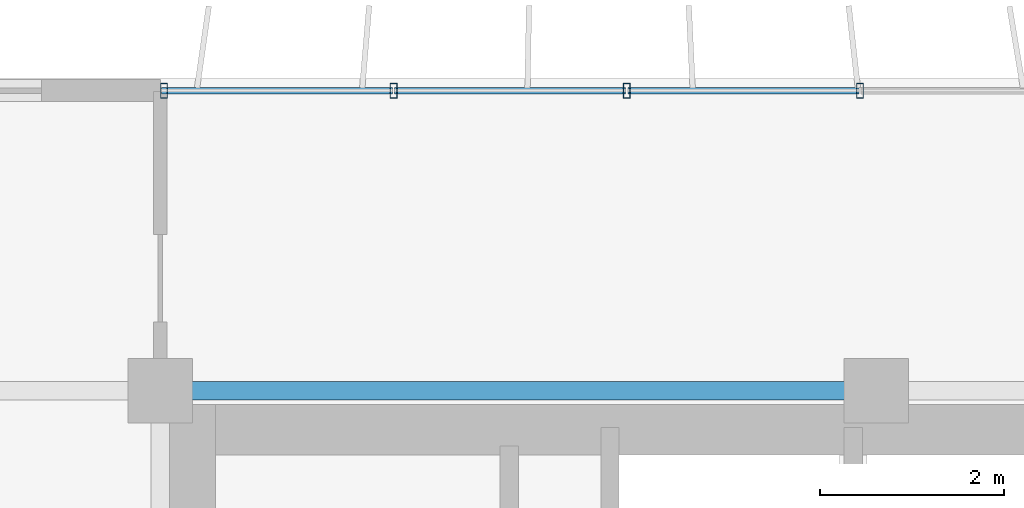
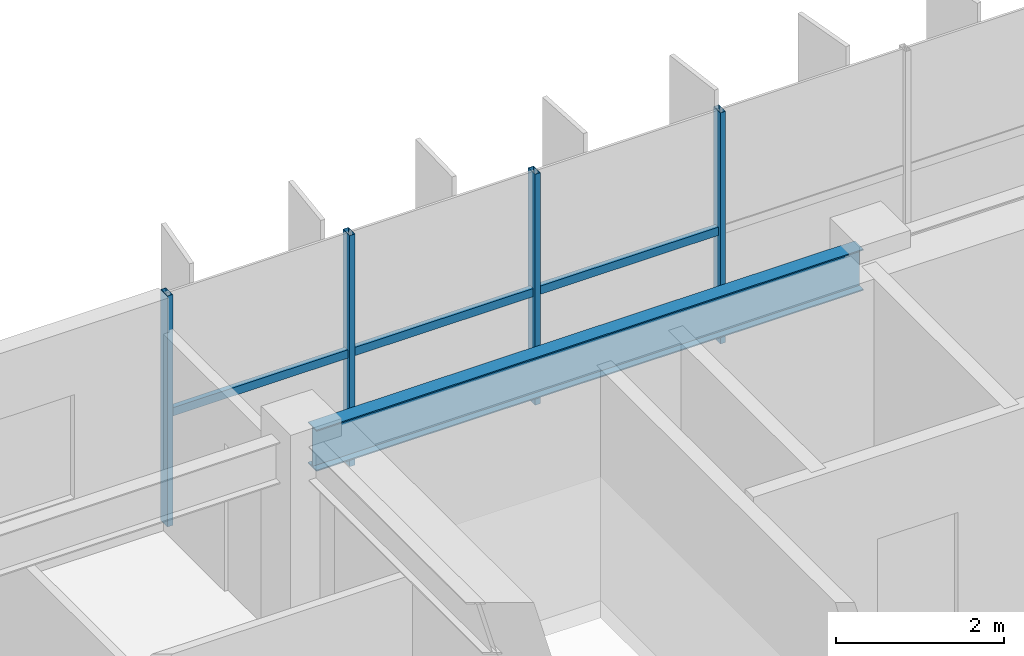
# One storey, part 4 of 20: 7 members, 1 beam, 1 element without a shape of its own.
"""IFC4 building model written with IfcOpenShell, lengths in metres."""

import ifcopenshell
import ifcopenshell.guid

model = None  # the IFC model being written
_history = None  # IfcOwnerHistory: only IFC2X3 demands one
_inside = {}  # id of a spatial element -> (the spatial element, [elements in it])
_under = {}  # id of a project, library or spatial element -> (it, [spatial elements below it])
_declared = {}  # id of a project -> (the project, [libraries it declares])
_typed = {}  # id of a type object -> (the type object, [elements of that type])
_made_of = {}  # id of a material, layer set ... -> (it, [elements and type objects made of it])


def new_model(schema):
    """Start an empty IFC model of exactly this schema.

    Asked for "IFC4X3", IfcOpenShell would pick the latest addendum, in which some entities
    have other attributes; the version numbers below select the first issue.
    IFC2X3 requires an IfcOwnerHistory on every rooted entity: one is made here for all.
    """
    global model, _history
    if schema == "IFC4X3":
        model = ifcopenshell.file(schema_version=(4, 3, 0, 0))
    else:
        model = ifcopenshell.file(schema=schema)
    _inside.clear()
    _under.clear()
    _declared.clear()
    _typed.clear()
    _made_of.clear()
    _history = None
    if model.schema == "IFC2X3":
        org = make("IfcOrganization", Name="unknown")
        user = make(
            "IfcPersonAndOrganization",
            ThePerson=make("IfcPerson", FamilyName="unknown"),
            TheOrganization=org,
        )
        app = make(
            "IfcApplication",
            ApplicationDeveloper=org,
            Version="unknown",
            ApplicationFullName="unknown",
            ApplicationIdentifier="unknown",
        )
        _history = make(
            "IfcOwnerHistory",
            OwningUser=user,
            OwningApplication=app,
            ChangeAction="ADDED",
            CreationDate=0,
        )
    return model


def make(cls, **values):
    """One entity of the class cls with the attributes given. An attribute that is None is left unset."""
    return model.create_entity(
        cls, **{name: value for name, value in values.items() if value is not None}
    )


def rooted(cls, **values):
    """An entity with a GlobalId (a new one), such as an element, a storey or a relation."""
    return make(cls, GlobalId=ifcopenshell.guid.new(), OwnerHistory=_history, **values)


def si_unit(unit_type, name, prefix=None):
    """IfcSIUnit, for example si_unit("LENGTHUNIT", "METRE", prefix="MILLI")."""
    return make("IfcSIUnit", UnitType=unit_type, Prefix=prefix, Name=name)


def assignment(units):
    """IfcUnitAssignment: the units of a project."""
    return None if units is None else make("IfcUnitAssignment", Units=units)


def point(xyz):
    """IfcCartesianPoint."""
    return None if xyz is None else make("IfcCartesianPoint", Coordinates=xyz)


def direction(xyz):
    """IfcDirection."""
    return None if xyz is None else make("IfcDirection", DirectionRatios=xyz)


def frame(location, z_axis=None, x_axis=None):
    """IfcAxis2Placement3D, a coordinate frame: its origin and axes. An axis left out is left unset."""
    return make(
        "IfcAxis2Placement3D",
        Location=point(location),
        Axis=direction(z_axis),
        RefDirection=direction(x_axis),
    )


def frame_2d(location, x_axis=None):
    """IfcAxis2Placement2D, a coordinate frame in the plane: its origin and x axis."""
    return make(
        "IfcAxis2Placement2D", Location=point(location), RefDirection=direction(x_axis)
    )


def origin():
    """The frame at (0, 0, 0) with its axes left unset."""
    return frame((0.0, 0.0, 0.0))


def origin_2d():
    """The frame at (0, 0) in the plane with its x axis left unset."""
    return frame_2d((0.0, 0.0))


def place(relative_to, where):
    """IfcLocalPlacement: puts the frame where relative to a parent placement (None: the world)."""
    return make(
        "IfcLocalPlacement", PlacementRelTo=relative_to, RelativePlacement=where
    )


def context(
    kind, dimensions, precision=None, world=None, true_north=None, identifier=None
):
    """IfcGeometricRepresentationContext, for example the 3D "Model" context."""
    return make(
        "IfcGeometricRepresentationContext",
        ContextIdentifier=identifier,
        ContextType=kind,
        CoordinateSpaceDimension=dimensions,
        Precision=precision,
        WorldCoordinateSystem=world,
        TrueNorth=true_north,
    )


def subcontext(parent, identifier, kind, view, scale=None):
    """IfcGeometricRepresentationSubContext, for example "Body" below "Model"."""
    return make(
        "IfcGeometricRepresentationSubContext",
        ContextIdentifier=identifier,
        ContextType=kind,
        ParentContext=parent,
        TargetScale=scale,
        TargetView=view,
    )


def project(units=None, contexts=None):
    """IfcProject with its units and contexts."""
    return rooted(
        "IfcProject",
        Name="project",
        RepresentationContexts=contexts,
        UnitsInContext=assignment(units),
    )


def spatial(cls, under=None, at=None, **own):
    """A site, building, storey or space (cls), placed at a placement, below another one or the project."""
    s = rooted(cls, ObjectPlacement=at, **own)
    if under is not None:
        _under.setdefault(under.id(), (under, []))[1].append(s)
    return s


def profile(cls, at=None, kind="AREA", **sizes):
    """A parametric profile (cls). Its sizes go by their IFC names, for example OverallWidth=200.0."""
    return make(cls, ProfileType=kind, Position=at, **sizes)


def hollow_rectangle(**sizes):
    """IfcRectangleHollowProfileDef."""
    return profile("IfcRectangleHollowProfileDef", **sizes)


def i_section(**sizes):
    """IfcIShapeProfileDef."""
    return profile("IfcIShapeProfileDef", **sizes)


def extrude(swept, where, along, depth):
    """IfcExtrudedAreaSolid: the profile swept, set in the frame where, extruded along a direction by depth."""
    return make(
        "IfcExtrudedAreaSolid",
        SweptArea=swept,
        Position=where,
        ExtrudedDirection=direction(along),
        Depth=depth,
    )


def shape(context_of_items, identifier, shape_type, items):
    """IfcShapeRepresentation: the items that make up one representation, for example the "Body"."""
    return make(
        "IfcShapeRepresentation",
        ContextOfItems=context_of_items,
        RepresentationIdentifier=identifier,
        RepresentationType=shape_type,
        Items=items,
    )


def source(mapping_origin, context_of_items, identifier, shape_type, items):
    """IfcRepresentationMap: a shape defined once, which mapped items show again and again."""
    return make(
        "IfcRepresentationMap",
        MappingOrigin=mapping_origin,
        MappedRepresentation=shape(context_of_items, identifier, shape_type, items),
    )


def transform(
    local_origin,
    x_axis=None,
    y_axis=None,
    z_axis=None,
    scale=None,
    scale2=None,
    scale3=None,
    uniform=True,
):
    """IfcCartesianTransformationOperator3D, or its non-uniform kind. x_axis, y_axis, z_axis: its Axis1, 2, 3."""
    if uniform:
        return make(
            "IfcCartesianTransformationOperator3D",
            Axis1=direction(x_axis),
            Axis2=direction(y_axis),
            LocalOrigin=point(local_origin),
            Scale=scale,
            Axis3=direction(z_axis),
        )
    return make(
        "IfcCartesianTransformationOperator3DnonUniform",
        Axis1=direction(x_axis),
        Axis2=direction(y_axis),
        LocalOrigin=point(local_origin),
        Scale=scale,
        Axis3=direction(z_axis),
        Scale2=scale2,
        Scale3=scale3,
    )


def mapped(mapping_source, mapping_target):
    """IfcMappedItem: shows the shape of a source again, moved by a transform."""
    return make(
        "IfcMappedItem", MappingSource=mapping_source, MappingTarget=mapping_target
    )


def material(Name=None, Category=None):
    """IfcMaterial."""
    return make("IfcMaterial", Name=Name, Category=Category)


def material_profile(
    of_material, cross_section, Name=None, Category=None, Priority=None
):
    """IfcMaterialProfile: a cross section and its material."""
    return make(
        "IfcMaterialProfile",
        Name=Name,
        Material=of_material,
        Profile=cross_section,
        Priority=Priority,
        Category=Category,
    )


def profile_set(profiles, Name=None, composite=None):
    """IfcMaterialProfileSet."""
    return make(
        "IfcMaterialProfileSet",
        Name=Name,
        MaterialProfiles=profiles,
        CompositeProfile=composite,
    )


def made_of(thing, what):
    """Note that an element or type object is made of a material, layer set ...; save() writes the relation."""
    if what is not None:
        _made_of.setdefault(what.id(), (what, []))[1].append(thing)
    return thing


def type_object(cls, material=None, **own):
    """A type object (cls), such as IfcWallType, which elements share."""
    return made_of(rooted(cls, **own), material)


def element(
    cls,
    number,
    at=None,
    inside=None,
    cuts=None,
    type_object=None,
    material=None,
    context=None,
    identifier="Body",
    shape_type=None,
    held_by="IfcProductDefinitionShape",
    body=None,
    shapes=None,
    **own,
):
    """One element of the class cls, such as IfcWall. Its Tag is "e" and its number.

    at: its placement. inside: the storey or other place that contains it. cuts: it is an
    opening in that element (IfcRelVoidsElement). A single representation is given by context,
    identifier, shape_type and body (its items); several are given by shapes. held_by: the class
    of the entity that holds the representations. save() writes the other relations.
    """
    e = rooted(cls, Tag="e%d" % number, ObjectPlacement=at, **own)
    if body is not None:
        shapes = [shape(context, identifier, shape_type, body)]
    if shapes is not None:
        e.Representation = make(held_by, Representations=shapes)
    if inside is not None:
        _inside.setdefault(inside.id(), (inside, []))[1].append(e)
    if cuts is not None:
        rooted(
            "IfcRelVoidsElement", RelatingBuildingElement=cuts, RelatedOpeningElement=e
        )
    if type_object is not None:
        _typed.setdefault(type_object.id(), (type_object, []))[1].append(e)
    return made_of(e, material)


def aggregate(whole, parts):
    """IfcRelAggregates: a whole, such as a stair, and the parts it consists of."""
    return rooted("IfcRelAggregates", RelatingObject=whole, RelatedObjects=parts)


def save(model, path):
    """Write the relations noted so far, then the file.

    IfcRelAggregates (storeys below a building ...), IfcRelContainedInSpatialStructure (elements
    in a storey), IfcRelDefinesByType, IfcRelAssociatesMaterial and IfcRelDeclares: one each for
    every whole, place, type object, material and project.
    """
    for whole, parts in _under.values():
        aggregate(whole, parts)
    for where, things in _inside.values():
        rooted(
            "IfcRelContainedInSpatialStructure",
            RelatedElements=things,
            RelatingStructure=where,
        )
    for kind, things in _typed.values():
        rooted("IfcRelDefinesByType", RelatedObjects=things, RelatingType=kind)
    for what, things in _made_of.values():
        rooted("IfcRelAssociatesMaterial", RelatedObjects=things, RelatingMaterial=what)
    for by, libraries in _declared.values():
        rooted("IfcRelDeclares", RelatingContext=by, RelatedDefinitions=libraries)
    model.write(path)


model = new_model("IFC4")

# Units and contexts
model_context = context("Model", 3, precision=1e-05, world=origin(), true_north=direction((0.0, 1.0)))
body_context = subcontext(model_context, "Body", "Model", "MODEL_VIEW")
ifc_project = project(units=[si_unit("LENGTHUNIT", "METRE"), si_unit("AREAUNIT", "SQUARE_METRE"), si_unit("VOLUMEUNIT", "CUBIC_METRE"), si_unit("PLANEANGLEUNIT", "RADIAN"), si_unit("MASSUNIT", "GRAM", prefix="KILO")], contexts=[model_context])

# Site, building, storey
site_placement = place(None, origin())
site = spatial("IfcSite", under=ifc_project, at=site_placement, CompositionType="ELEMENT")
building_placement = place(site_placement, origin())
building = spatial("IfcBuilding", under=site, at=building_placement, Name="Trelvane Seafront Commons", CompositionType="ELEMENT")
storey_placement = place(building_placement, frame((0.0, 0.0, 171.699951171875)))
storey = spatial("IfcBuildingStorey", under=building, at=storey_placement, Name="L45", CompositionType="ELEMENT", Elevation=171.699951171875)

# Beam
ifc_material_1 = material(Name="Steel SM355 (S355)", Category="steel")
ifc_material_profile_1 = material_profile(ifc_material_1, i_section(OverallWidth=0.199951171875, OverallDepth=0.60009765625, WebThickness=0.010986328125, FlangeThickness=0.01708984375, at=origin_2d()), Name="H-600x200x11x17")
ifc_profile_set_1 = profile_set([ifc_material_profile_1], Name="Steel SM355 (S355)")
beam_type = type_object("IfcBeamType", Name="STR-SPD-H600", PredefinedType="SPANDREL", material=ifc_profile_set_1)
shared_shape_1 = source(origin(), body_context, "Body", "SweptSolid", [
    extrude(i_section(OverallWidth=0.199951171875, OverallDepth=0.60009765625, WebThickness=0.010986328125, FlangeThickness=0.01708984375, at=origin_2d()), origin(), (0.0, 0.0, 1.0), 7.5),
])
beam_placement = place(storey_placement, frame((15.75, 45.10009765625, 3.050048828125), z_axis=(1.0, 0.0, 0.0), x_axis=(0.0, 1.0, 0.0)))
element("IfcBeam", 1, at=beam_placement, inside=storey, type_object=beam_type, Name="L45 Primary Girder G-23", PredefinedType="SPANDREL", context=body_context, shape_type="MappedRepresentation", body=[
    mapped(shared_shape_1, transform((0.0, 0.0, 0.0), x_axis=(1.0, 0.0, 0.0), y_axis=(0.0, 1.0, 0.0), z_axis=(0.0, 0.0, 1.0), scale=1.0)),
])

# Curtain wall, members
ifc_material_2 = material(Name="Anodised pale-silver aluminium", Category="aluminium")
curtain_wall_type = type_object("IfcCurtainWallType", Name="ARCH-CW5-UPTOWER", PredefinedType="NOTDEFINED", material=ifc_material_2)
curtain_wall_placement = place(storey_placement, origin())
curtain_wall = element("IfcCurtainWall", 2, at=curtain_wall_placement, inside=storey, type_object=curtain_wall_type, Name="CW-L45-0072", PredefinedType="NOTDEFINED")
ifc_material_profile_2 = material_profile(ifc_material_2, hollow_rectangle(XDim=0.070068359375, YDim=0.1201171875, WallThickness=0.00390625, at=origin_2d()), Name="TRAN-70x120x4")
ifc_profile_set_2 = profile_set([ifc_material_profile_2], Name="Anodised pale-silver aluminium")
member_type_1 = type_object("IfcMemberType", Name="ARCH-CW-TRAN-120", PredefinedType="USERDEFINED", material=ifc_profile_set_2)
shared_shape_2 = source(origin(), body_context, "Body", "SweptSolid", [
    extrude(hollow_rectangle(XDim=0.070068359375, YDim=0.1201171875, WallThickness=0.00390625, at=origin_2d()), origin(), (0.0, 0.0, 1.0), 2.51708984375),
])
member_1_placement = place(storey_placement, frame((15.612060546875, 48.3701171875, 1.608154296875), z_axis=(1.0, 0.0, 0.0), x_axis=(0.0, 1.0, 0.0)))
member_1 = element("IfcMember", 3, at=member_1_placement, type_object=member_type_1, Name="CW-L45-0072-T00", ObjectType="TRANSOM", PredefinedType="USERDEFINED", context=body_context, shape_type="MappedRepresentation", body=[
    mapped(shared_shape_2, transform((0.0, 0.0, 0.0), x_axis=(1.0, 0.0, 0.0), y_axis=(0.0, 1.0, 0.0), z_axis=(0.0, 0.0, 1.0), scale=1.0)),
])
member_2_placement = place(storey_placement, frame((18.1533203125, 48.3701171875, 1.608154296875), z_axis=(1.0, 0.0, 0.0), x_axis=(0.0, 1.0, 0.0)))
member_2 = element("IfcMember", 4, at=member_2_placement, type_object=member_type_1, Name="CW-L45-0072-T01", ObjectType="TRANSOM", PredefinedType="USERDEFINED", context=body_context, shape_type="MappedRepresentation", body=[
    mapped(shared_shape_2, transform((0.0, 0.0, 0.0), x_axis=(1.0, 0.0, 0.0), y_axis=(0.0, 1.0, 0.0), z_axis=(0.0, 0.0, 1.0), scale=1.0)),
])
member_3_placement = place(storey_placement, frame((20.6943359375, 48.3701171875, 1.608154296875), z_axis=(1.0, 0.0, 0.0), x_axis=(0.0, 1.0, 0.0)))
member_3 = element("IfcMember", 5, at=member_3_placement, type_object=member_type_1, Name="CW-L45-0072-T02", ObjectType="TRANSOM", PredefinedType="USERDEFINED", context=body_context, shape_type="MappedRepresentation", body=[
    mapped(shared_shape_2, transform((0.0, 0.0, 0.0), x_axis=(1.0, 0.0, 0.0), y_axis=(0.0, 1.0, 0.0), z_axis=(0.0, 0.0, 1.0), scale=1.0)),
])
ifc_material_profile_3 = material_profile(ifc_material_2, hollow_rectangle(XDim=0.074951171875, YDim=0.159912109375, WallThickness=0.00390625, at=origin_2d()), Name="MULL-75x160x4")
ifc_profile_set_3 = profile_set([ifc_material_profile_3], Name="Anodised pale-silver aluminium")
member_type_2 = type_object("IfcMemberType", Name="ARCH-CW-MULL-160", PredefinedType="MULLION", material=ifc_profile_set_3)
shared_shape_3 = source(origin(), body_context, "Body", "SweptSolid", [
    extrude(hollow_rectangle(XDim=0.074951171875, YDim=0.159912109375, WallThickness=0.00390625, at=origin_2d()), origin(), (0.0, 0.0, 1.0), 3.35009765625),
])
member_4_placement = place(storey_placement, frame((15.639892578125, 48.3701171875, 0.0), z_axis=(0.0, 0.0, 1.0), x_axis=(1.0, 0.0, 0.0)))
member_4 = element("IfcMember", 6, at=member_4_placement, type_object=member_type_2, Name="CW-L45-0072-M00", PredefinedType="MULLION", context=body_context, shape_type="MappedRepresentation", body=[
    mapped(shared_shape_3, transform((0.0, 0.0, 0.0), x_axis=(1.0, 0.0, 0.0), y_axis=(0.0, 1.0, 0.0), z_axis=(0.0, 0.0, 1.0), scale=1.0)),
])
member_5_placement = place(storey_placement, frame((18.14111328125, 48.3701171875, 0.0), z_axis=(0.0, 0.0, 1.0), x_axis=(1.0, 0.0, 0.0)))
member_5 = element("IfcMember", 7, at=member_5_placement, type_object=member_type_2, Name="CW-L45-0072-M01", PredefinedType="MULLION", context=body_context, shape_type="MappedRepresentation", body=[
    mapped(shared_shape_3, transform((0.0, 0.0, 0.0), x_axis=(1.0, 0.0, 0.0), y_axis=(0.0, 1.0, 0.0), z_axis=(0.0, 0.0, 1.0), scale=1.0)),
])
member_6_placement = place(storey_placement, frame((20.682373046875, 48.3701171875, 0.0), z_axis=(0.0, 0.0, 1.0), x_axis=(1.0, 0.0, 0.0)))
member_6 = element("IfcMember", 8, at=member_6_placement, type_object=member_type_2, Name="CW-L45-0072-M02", PredefinedType="MULLION", context=body_context, shape_type="MappedRepresentation", body=[
    mapped(shared_shape_3, transform((0.0, 0.0, 0.0), x_axis=(1.0, 0.0, 0.0), y_axis=(0.0, 1.0, 0.0), z_axis=(0.0, 0.0, 1.0), scale=1.0)),
])
member_7_placement = place(storey_placement, frame((23.223388671875, 48.3701171875, 0.0), z_axis=(0.0, 0.0, 1.0), x_axis=(1.0, 0.0, 0.0)))
member_7 = element("IfcMember", 9, at=member_7_placement, type_object=member_type_2, Name="CW-L45-0072-M03", PredefinedType="MULLION", context=body_context, shape_type="MappedRepresentation", body=[
    mapped(shared_shape_3, transform((0.0, 0.0, 0.0), x_axis=(1.0, 0.0, 0.0), y_axis=(0.0, 1.0, 0.0), z_axis=(0.0, 0.0, 1.0), scale=1.0)),
])
aggregate(curtain_wall, [member_4, member_5, member_6, member_7, member_1, member_2, member_3])

save(model, "model.ifc")
